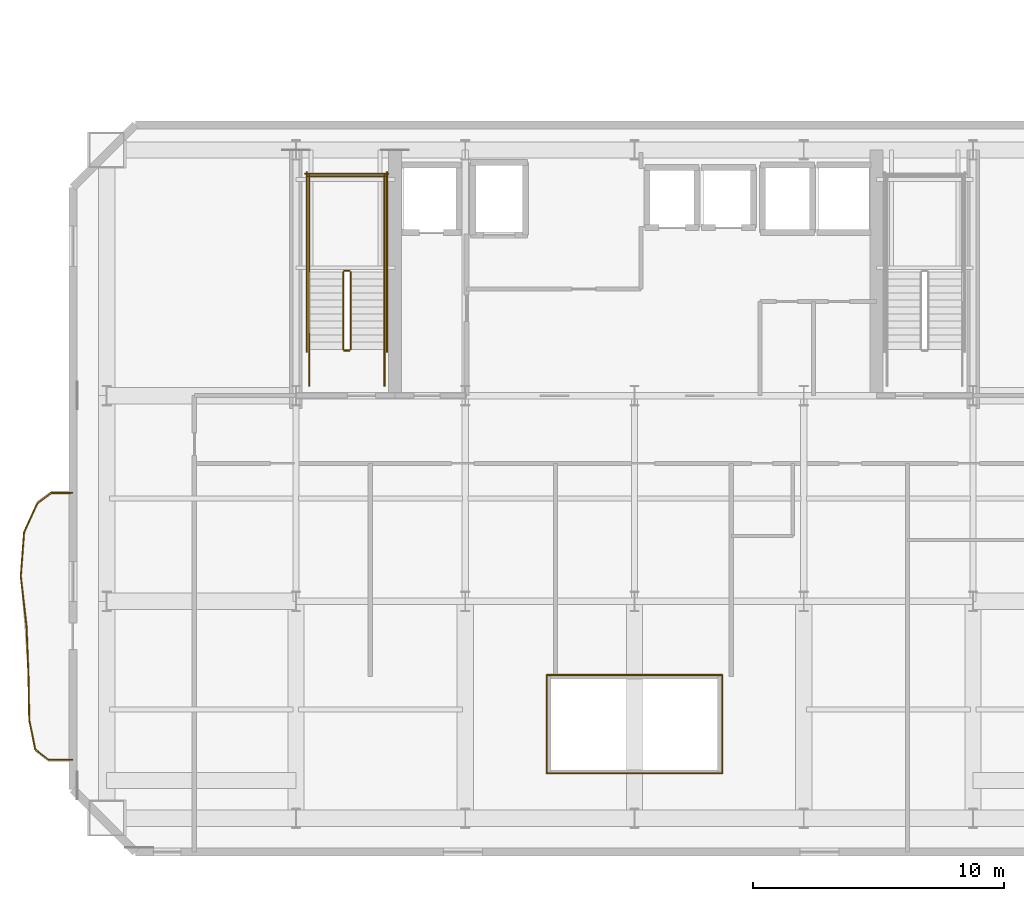
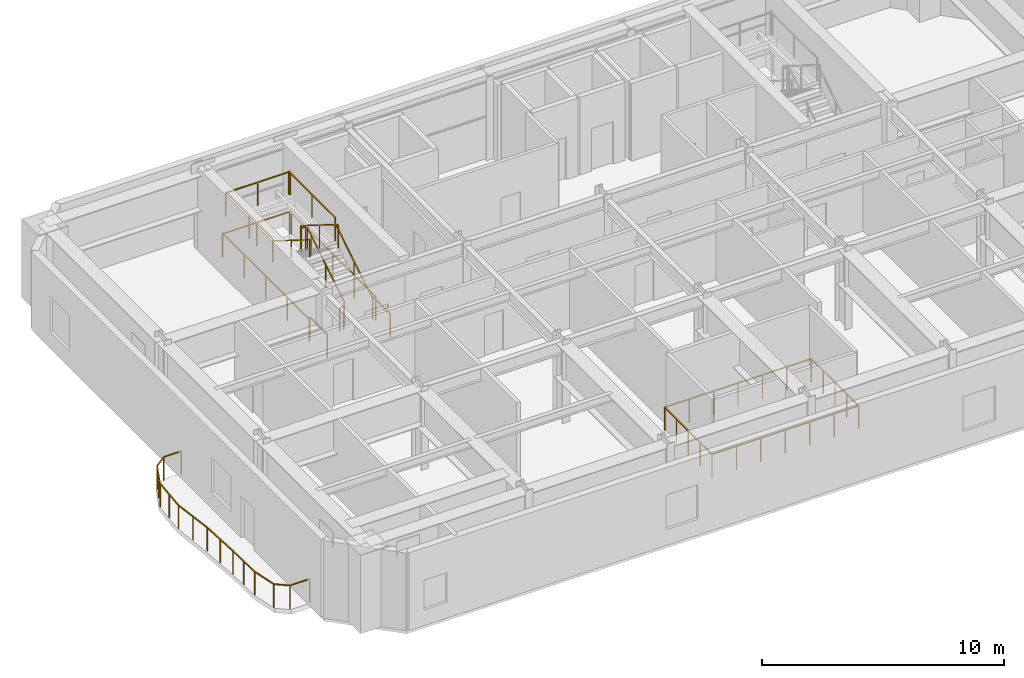
# One storey, part 12 of 15: 28 railings.
"""IFC4 building model written with IfcOpenShell, lengths in metres."""

from ifc_helpers import new_model, si_unit, direction, frame, origin, origin_2d, place, context, subcontext, project, spatial, rectangle, extrude, material, type_object, element, save


model = new_model("IFC4")

# Units and contexts
model_context = context("Model", 3, precision=1e-05, world=origin(), true_north=direction((0.0, 1.0)))
body_context = subcontext(model_context, "Body", "Model", "MODEL_VIEW")
ifc_project = project(units=[si_unit("LENGTHUNIT", "METRE"), si_unit("AREAUNIT", "SQUARE_METRE"), si_unit("VOLUMEUNIT", "CUBIC_METRE"), si_unit("PLANEANGLEUNIT", "RADIAN"), si_unit("MASSUNIT", "GRAM", prefix="KILO")], contexts=[model_context])

# Site, building, storey
site_placement = place(None, origin())
site = spatial("IfcSite", under=ifc_project, at=site_placement, CompositionType="ELEMENT")
building_placement = place(site_placement, origin())
building = spatial("IfcBuilding", under=site, at=building_placement, Name="Haevon Station Towers", CompositionType="ELEMENT")
storey_placement = place(building_placement, frame((0.0, 0.0, 129.60009765625)))
storey = spatial("IfcBuildingStorey", under=building, at=storey_placement, Name="L35", CompositionType="ELEMENT", Elevation=129.60009765625)

# Railings
ifc_material = material(Name="Steel S355", Category="steel")
railing_type_1 = type_object("IfcRailingType", Name="BAL-ATR1200", PredefinedType="BALUSTRADE", material=ifc_material)
railing_1_placement = place(storey_placement, frame((33.995361328125, 23.141357421875, 0.0)))
element("IfcRailing", 1, at=railing_1_placement, inside=storey, type_object=railing_type_1, Name="L35 Atrium Void Balustrade 1", PredefinedType="BALUSTRADE", context=body_context, shape_type="SweptSolid", body=[
    extrude(rectangle(XDim=0.048095703125, YDim=0.048095703125, at=origin_2d()), frame((0.0, 0.0, 1.17578125), z_axis=(1.0, 0.0, 0.0), x_axis=(0.0, 1.0, 0.0)), (0.0, 0.0, 1.0), 7.00927734375),
    extrude(rectangle(XDim=0.0419921875, YDim=0.0419921875, at=origin_2d()), origin(), (0.0, 0.0, 1.0), 1.15185546875),
    extrude(rectangle(XDim=0.0419921875, YDim=0.0419921875, at=origin_2d()), frame((1.168212890625, 0.0, 0.0)), (0.0, 0.0, 1.0), 1.15185546875),
    extrude(rectangle(XDim=0.0419921875, YDim=0.0419921875, at=origin_2d()), frame((2.33642578125, 0.0, 0.0)), (0.0, 0.0, 1.0), 1.15185546875),
    extrude(rectangle(XDim=0.0419921875, YDim=0.0419921875, at=origin_2d()), frame((3.504638671875, 0.0, 0.0)), (0.0, 0.0, 1.0), 1.15185546875),
    extrude(rectangle(XDim=0.0419921875, YDim=0.0419921875, at=origin_2d()), frame((4.6728515625, 0.0, 0.0)), (0.0, 0.0, 1.0), 1.15185546875),
    extrude(rectangle(XDim=0.0419921875, YDim=0.0419921875, at=origin_2d()), frame((5.841064453125, 0.0, 0.0)), (0.0, 0.0, 1.0), 1.15185546875),
    extrude(rectangle(XDim=0.0419921875, YDim=0.0419921875, at=origin_2d()), frame((7.00927734375, 0.0, 0.0)), (0.0, 0.0, 1.0), 1.15185546875),
])
railing_2_placement = place(storey_placement, frame((41.004638671875, 23.141357421875, 0.0)))
element("IfcRailing", 2, at=railing_2_placement, inside=storey, type_object=railing_type_1, Name="L35 Atrium Void Balustrade 2", PredefinedType="BALUSTRADE", context=body_context, shape_type="SweptSolid", body=[
    extrude(rectangle(XDim=0.048095703125, YDim=0.048095703125, at=origin_2d()), frame((0.0, 0.0, 1.17578125), z_axis=(0.0, 1.0, 0.0), x_axis=(-1.0, 0.0, 0.0)), (0.0, 0.0, 1.0), 3.917236328125),
    extrude(rectangle(XDim=0.0419921875, YDim=0.0419921875, at=origin_2d()), origin(), (0.0, 0.0, 1.0), 1.15185546875),
    extrude(rectangle(XDim=0.0419921875, YDim=0.0419921875, at=origin_2d()), frame((0.0, 0.979248046875, 0.0)), (0.0, 0.0, 1.0), 1.15185546875),
    extrude(rectangle(XDim=0.0419921875, YDim=0.0419921875, at=origin_2d()), frame((0.0, 1.95849609375, 0.0)), (0.0, 0.0, 1.0), 1.15185546875),
    extrude(rectangle(XDim=0.0419921875, YDim=0.0419921875, at=origin_2d()), frame((0.0, 2.93798828125, 0.0)), (0.0, 0.0, 1.0), 1.15185546875),
    extrude(rectangle(XDim=0.0419921875, YDim=0.0419921875, at=origin_2d()), frame((0.0, 3.917236328125, 0.0)), (0.0, 0.0, 1.0), 1.15185546875),
])
railing_3_placement = place(storey_placement, frame((41.004638671875, 27.05859375, 0.0)))
element("IfcRailing", 3, at=railing_3_placement, inside=storey, type_object=railing_type_1, Name="L35 Atrium Void Balustrade 3", PredefinedType="BALUSTRADE", context=body_context, shape_type="SweptSolid", body=[
    extrude(rectangle(XDim=0.048095703125, YDim=0.048095703125, at=origin_2d()), frame((0.0, 0.0, 1.17578125), z_axis=(-1.0, 0.0, 0.0), x_axis=(0.0, -1.0, 0.0)), (0.0, 0.0, 1.0), 7.00927734375),
    extrude(rectangle(XDim=0.0419921875, YDim=0.0419921875, at=origin_2d()), origin(), (0.0, 0.0, 1.0), 1.15185546875),
    extrude(rectangle(XDim=0.0419921875, YDim=0.0419921875, at=origin_2d()), frame((-1.168212890625, 0.0, 0.0)), (0.0, 0.0, 1.0), 1.15185546875),
    extrude(rectangle(XDim=0.0419921875, YDim=0.0419921875, at=origin_2d()), frame((-2.33642578125, 0.0, 0.0)), (0.0, 0.0, 1.0), 1.15185546875),
    extrude(rectangle(XDim=0.0419921875, YDim=0.0419921875, at=origin_2d()), frame((-3.504638671875, 0.0, 0.0)), (0.0, 0.0, 1.0), 1.15185546875),
    extrude(rectangle(XDim=0.0419921875, YDim=0.0419921875, at=origin_2d()), frame((-4.6728515625, 0.0, 0.0)), (0.0, 0.0, 1.0), 1.15185546875),
    extrude(rectangle(XDim=0.0419921875, YDim=0.0419921875, at=origin_2d()), frame((-5.841064453125, 0.0, 0.0)), (0.0, 0.0, 1.0), 1.15185546875),
    extrude(rectangle(XDim=0.0419921875, YDim=0.0419921875, at=origin_2d()), frame((-7.00927734375, 0.0, 0.0)), (0.0, 0.0, 1.0), 1.15185546875),
])
railing_4_placement = place(storey_placement, frame((33.995361328125, 27.05859375, 0.0)))
element("IfcRailing", 4, at=railing_4_placement, inside=storey, type_object=railing_type_1, Name="L35 Atrium Void Balustrade 4", PredefinedType="BALUSTRADE", context=body_context, shape_type="SweptSolid", body=[
    extrude(rectangle(XDim=0.048095703125, YDim=0.048095703125, at=origin_2d()), frame((0.0, 0.0, 1.17578125), z_axis=(0.0, -1.0, 0.0), x_axis=(1.0, 0.0, 0.0)), (0.0, 0.0, 1.0), 3.917236328125),
    extrude(rectangle(XDim=0.0419921875, YDim=0.0419921875, at=origin_2d()), origin(), (0.0, 0.0, 1.0), 1.15185546875),
    extrude(rectangle(XDim=0.0419921875, YDim=0.0419921875, at=origin_2d()), frame((0.0, -0.979248046875, 0.0)), (0.0, 0.0, 1.0), 1.15185546875),
    extrude(rectangle(XDim=0.0419921875, YDim=0.0419921875, at=origin_2d()), frame((0.0, -1.95849609375, 0.0)), (0.0, 0.0, 1.0), 1.15185546875),
    extrude(rectangle(XDim=0.0419921875, YDim=0.0419921875, at=origin_2d()), frame((0.0, -2.93798828125, 0.0)), (0.0, 0.0, 1.0), 1.15185546875),
    extrude(rectangle(XDim=0.0419921875, YDim=0.0419921875, at=origin_2d()), frame((0.0, -3.917236328125, 0.0)), (0.0, 0.0, 1.0), 1.15185546875),
])
railing_type_2 = type_object("IfcRailingType", Name="GRD-EXT1200", PredefinedType="GUARDRAIL", material=ifc_material)
railing_5_placement = place(storey_placement, frame((15.076416015625, 34.322265625, 0.0)))
element("IfcRailing", 5, at=railing_5_placement, inside=storey, type_object=railing_type_2, Name="L35 Perimeter Guardrail 1", PredefinedType="GUARDRAIL", context=body_context, shape_type="SweptSolid", body=[
    extrude(rectangle(XDim=0.048095703125, YDim=0.048095703125, at=origin_2d()), frame((0.0, 0.0, 1.17578125), z_axis=(-0.999997283225, -0.002330995998, 0.0), x_axis=(0.002330995998, -0.999997283225, 0.0)), (0.0, 0.0, 1.0), 0.837890625),
    extrude(rectangle(XDim=0.0419921875, YDim=0.0419921875, at=origin_2d()), origin(), (0.0, 0.0, 1.0), 1.15185546875),
    extrude(rectangle(XDim=0.0419921875, YDim=0.0419921875, at=origin_2d()), frame((-0.837890625, -0.001953125, 0.0)), (0.0, 0.0, 1.0), 1.15185546875),
])
railing_6_placement = place(storey_placement, frame((14.238525390625, 34.3203125, 0.0)))
element("IfcRailing", 6, at=railing_6_placement, inside=storey, type_object=railing_type_2, Name="L35 Perimeter Guardrail 2", PredefinedType="GUARDRAIL", context=body_context, shape_type="SweptSolid", body=[
    extrude(rectangle(XDim=0.048095703125, YDim=0.048095703125, at=origin_2d()), frame((0.0, 0.0, 1.17578125), z_axis=(-0.801826187868, -0.597557331516, 0.0), x_axis=(0.597557331516, -0.801826187868, 0.0)), (0.0, 0.0, 1.0), 0.6884765625),
    extrude(rectangle(XDim=0.0419921875, YDim=0.0419921875, at=origin_2d()), origin(), (0.0, 0.0, 1.0), 1.15185546875),
    extrude(rectangle(XDim=0.0419921875, YDim=0.0419921875, at=origin_2d()), frame((-0.552001953125, -0.411376953125, 0.0)), (0.0, 0.0, 1.0), 1.15185546875),
])
railing_7_placement = place(storey_placement, frame((13.6865234375, 33.908935546875, 0.0)))
element("IfcRailing", 7, at=railing_7_placement, inside=storey, type_object=railing_type_2, Name="L35 Perimeter Guardrail 3", PredefinedType="GUARDRAIL", context=body_context, shape_type="SweptSolid", body=[
    extrude(rectangle(XDim=0.048095703125, YDim=0.048095703125, at=origin_2d()), frame((0.0, 0.0, 1.17578125), z_axis=(-0.413917488552, -0.910314403198, 0.0), x_axis=(0.910314403198, -0.413917488552, 0.0)), (0.0, 0.0, 1.0), 1.28466796875),
    extrude(rectangle(XDim=0.0419921875, YDim=0.0419921875, at=origin_2d()), origin(), (0.0, 0.0, 1.0), 1.15185546875),
    extrude(rectangle(XDim=0.0419921875, YDim=0.0419921875, at=origin_2d()), frame((-0.265869140625, -0.584716796875, 0.0)), (0.0, 0.0, 1.0), 1.15185546875),
    extrude(rectangle(XDim=0.0419921875, YDim=0.0419921875, at=origin_2d()), frame((-0.53173828125, -1.16943359375, 0.0)), (0.0, 0.0, 1.0), 1.15185546875),
])
railing_8_placement = place(storey_placement, frame((13.15478515625, 32.739501953125, 0.0)))
element("IfcRailing", 8, at=railing_8_placement, inside=storey, type_object=railing_type_2, Name="L35 Perimeter Guardrail 4", PredefinedType="GUARDRAIL", context=body_context, shape_type="SweptSolid", body=[
    extrude(rectangle(XDim=0.048095703125, YDim=0.048095703125, at=origin_2d()), frame((0.0, 0.0, 1.17578125), z_axis=(-0.074672193364, -0.997208134513, 0.0), x_axis=(0.997208134513, -0.074672193364, 0.0)), (0.0, 0.0, 1.0), 1.75244140625),
    extrude(rectangle(XDim=0.0419921875, YDim=0.0419921875, at=origin_2d()), origin(), (0.0, 0.0, 1.0), 1.15185546875),
    extrude(rectangle(XDim=0.0419921875, YDim=0.0419921875, at=origin_2d()), frame((-0.0654296875, -0.873779296875, 0.0)), (0.0, 0.0, 1.0), 1.15185546875),
    extrude(rectangle(XDim=0.0419921875, YDim=0.0419921875, at=origin_2d()), frame((-0.130859375, -1.74755859375, 0.0)), (0.0, 0.0, 1.0), 1.15185546875),
])
railing_9_placement = place(storey_placement, frame((13.02392578125, 30.991943359375, 0.0)))
element("IfcRailing", 9, at=railing_9_placement, inside=storey, type_object=railing_type_2, Name="L35 Perimeter Guardrail 5", PredefinedType="GUARDRAIL", context=body_context, shape_type="SweptSolid", body=[
    extrude(rectangle(XDim=0.048095703125, YDim=0.048095703125, at=origin_2d()), frame((0.0, 0.0, 1.17578125), z_axis=(0.114933725314, -0.993373161901, 0.0), x_axis=(0.993373161901, 0.114933725314, 0.0)), (0.0, 0.0, 1.0), 2.005126953125),
    extrude(rectangle(XDim=0.0419921875, YDim=0.0419921875, at=origin_2d()), origin(), (0.0, 0.0, 1.0), 1.15185546875),
    extrude(rectangle(XDim=0.0419921875, YDim=0.0419921875, at=origin_2d()), frame((0.115234375, -0.99609375, 0.0)), (0.0, 0.0, 1.0), 1.15185546875),
    extrude(rectangle(XDim=0.0419921875, YDim=0.0419921875, at=origin_2d()), frame((0.23046875, -1.991943359375, 0.0)), (0.0, 0.0, 1.0), 1.15185546875),
])
railing_10_placement = place(storey_placement, frame((13.25439453125, 29.0, 0.0)))
element("IfcRailing", 10, at=railing_10_placement, inside=storey, type_object=railing_type_2, Name="L35 Perimeter Guardrail 6", PredefinedType="GUARDRAIL", context=body_context, shape_type="SweptSolid", body=[
    extrude(rectangle(XDim=0.048095703125, YDim=0.048095703125, at=origin_2d()), frame((0.0, 0.0, 1.17578125), z_axis=(0.038150453475, -0.999272006463, 0.0), x_axis=(0.999272006463, 0.038150453475, 0.0)), (0.0, 0.0, 1.0), 1.990234375),
    extrude(rectangle(XDim=0.0419921875, YDim=0.0419921875, at=origin_2d()), origin(), (0.0, 0.0, 1.0), 1.15185546875),
    extrude(rectangle(XDim=0.0419921875, YDim=0.0419921875, at=origin_2d()), frame((0.0380859375, -0.994384765625, 0.0)), (0.0, 0.0, 1.0), 1.15185546875),
    extrude(rectangle(XDim=0.0419921875, YDim=0.0419921875, at=origin_2d()), frame((0.075927734375, -1.98876953125, 0.0)), (0.0, 0.0, 1.0), 1.15185546875),
])
railing_11_placement = place(storey_placement, frame((13.330322265625, 27.01123046875, 0.0)))
element("IfcRailing", 11, at=railing_11_placement, inside=storey, type_object=railing_type_2, Name="L35 Perimeter Guardrail 7", PredefinedType="GUARDRAIL", context=body_context, shape_type="SweptSolid", body=[
    extrude(rectangle(XDim=0.048095703125, YDim=0.048095703125, at=origin_2d()), frame((0.0, 0.0, 1.17578125), z_axis=(0.017572959065, -0.999845583633, 0.0), x_axis=(0.999845583633, 0.017572959065, 0.0)), (0.0, 0.0, 1.0), 1.75048828125),
    extrude(rectangle(XDim=0.0419921875, YDim=0.0419921875, at=origin_2d()), origin(), (0.0, 0.0, 1.0), 1.15185546875),
    extrude(rectangle(XDim=0.0419921875, YDim=0.0419921875, at=origin_2d()), frame((0.015380859375, -0.875, 0.0)), (0.0, 0.0, 1.0), 1.15185546875),
    extrude(rectangle(XDim=0.0419921875, YDim=0.0419921875, at=origin_2d()), frame((0.03076171875, -1.750244140625, 0.0)), (0.0, 0.0, 1.0), 1.15185546875),
])
railing_12_placement = place(storey_placement, frame((13.361083984375, 25.260986328125, 0.0)))
element("IfcRailing", 12, at=railing_12_placement, inside=storey, type_object=railing_type_2, Name="L35 Perimeter Guardrail 8", PredefinedType="GUARDRAIL", context=body_context, shape_type="SweptSolid", body=[
    extrude(rectangle(XDim=0.048095703125, YDim=0.048095703125, at=origin_2d()), frame((0.0, 0.0, 1.17578125), z_axis=(0.199771721582, -0.979842466551, 0.0), x_axis=(0.979842466551, 0.199771721582, 0.0)), (0.0, 0.0, 1.0), 1.194091796875),
    extrude(rectangle(XDim=0.0419921875, YDim=0.0419921875, at=origin_2d()), origin(), (0.0, 0.0, 1.0), 1.15185546875),
    extrude(rectangle(XDim=0.0419921875, YDim=0.0419921875, at=origin_2d()), frame((0.238525390625, -1.169921875, 0.0)), (0.0, 0.0, 1.0), 1.15185546875),
])
railing_13_placement = place(storey_placement, frame((13.599609375, 24.091064453125, 0.0)))
element("IfcRailing", 13, at=railing_13_placement, inside=storey, type_object=railing_type_2, Name="L35 Perimeter Guardrail 9", PredefinedType="GUARDRAIL", context=body_context, shape_type="SweptSolid", body=[
    extrude(rectangle(XDim=0.048095703125, YDim=0.048095703125, at=origin_2d()), frame((0.0, 0.0, 1.17578125), z_axis=(0.79178726734, -0.61079695749, 0.0), x_axis=(0.61079695749, 0.79178726734, 0.0)), (0.0, 0.0, 1.0), 0.673095703125),
    extrude(rectangle(XDim=0.0419921875, YDim=0.0419921875, at=origin_2d()), origin(), (0.0, 0.0, 1.0), 1.15185546875),
    extrude(rectangle(XDim=0.0419921875, YDim=0.0419921875, at=origin_2d()), frame((0.532958984375, -0.4111328125, 0.0)), (0.0, 0.0, 1.0), 1.15185546875),
])
railing_14_placement = place(storey_placement, frame((14.132568359375, 23.679931640625, 0.0)))
element("IfcRailing", 14, at=railing_14_placement, inside=storey, type_object=railing_type_2, Name="L35 Perimeter Guardrail 10", PredefinedType="GUARDRAIL", context=body_context, shape_type="SweptSolid", body=[
    extrude(rectangle(XDim=0.048095703125, YDim=0.048095703125, at=origin_2d()), frame((0.0, 0.0, 1.17578125), z_axis=(0.999997290248, -0.002327981276, 0.0), x_axis=(0.002327981276, 0.999997290248, 0.0)), (0.0, 0.0, 1.0), 0.94384765625),
    extrude(rectangle(XDim=0.0419921875, YDim=0.0419921875, at=origin_2d()), origin(), (0.0, 0.0, 1.0), 1.15185546875),
    extrude(rectangle(XDim=0.0419921875, YDim=0.0419921875, at=origin_2d()), frame((0.94384765625, -0.002197265625, 0.0)), (0.0, 0.0, 1.0), 1.15185546875),
])
railing_type_3 = type_object("IfcRailingType", Name="GRD-STR1200", PredefinedType="GUARDRAIL", material=ifc_material)
railing_15_placement = place(storey_placement, frame((26.179931640625, 40.050048828125, 0.1748046875)))
element("IfcRailing", 15, at=railing_15_placement, inside=storey, type_object=railing_type_3, Name="L35 ST1 Stair Guard 1", PredefinedType="GUARDRAIL", context=body_context, shape_type="SweptSolid", body=[
    extrude(rectangle(XDim=0.048095703125, YDim=0.048095703125, at=origin_2d()), frame((0.0, 0.0, 1.17578125), z_axis=(0.0, 0.847979421464, 0.530029150871), x_axis=(-1.0, 0.0, 0.0)), (0.0, 0.0, 1.0), 3.632080078125),
    extrude(rectangle(XDim=0.0419921875, YDim=0.0419921875, at=origin_2d()), origin(), (0.0, 0.0, 1.0), 1.15185546875),
    extrude(rectangle(XDim=0.0419921875, YDim=0.0419921875, at=origin_2d()), frame((0.0, 1.5400390625, 0.96240234375)), (0.0, 0.0, 1.0), 1.15185546875),
    extrude(rectangle(XDim=0.0419921875, YDim=0.0419921875, at=origin_2d()), frame((0.0, 3.079833984375, 1.925048828125)), (0.0, 0.0, 1.0), 1.15185546875),
])
railing_16_placement = place(storey_placement, frame((26.1298828125, 43.179931640625, 2.099853515625)))
element("IfcRailing", 16, at=railing_16_placement, inside=storey, type_object=railing_type_3, Name="L35 ST1 Stair Guard 2", PredefinedType="GUARDRAIL", context=body_context, shape_type="SweptSolid", body=[
    extrude(rectangle(XDim=0.048095703125, YDim=0.048095703125, at=origin_2d()), frame((0.0, 0.0, 1.17578125), z_axis=(-1.0, 0.0, 0.0), x_axis=(0.0, -1.0, 0.0)), (0.0, 0.0, 1.0), 0.199951171875),
    extrude(rectangle(XDim=0.0419921875, YDim=0.0419921875, at=origin_2d()), origin(), (0.0, 0.0, 1.0), 1.15185546875),
    extrude(rectangle(XDim=0.0419921875, YDim=0.0419921875, at=origin_2d()), frame((-0.199951171875, 0.0, 0.0)), (0.0, 0.0, 1.0), 1.15185546875),
])
for number, where, name in (
    (17, (27.530029296875, 43.1298828125, 2.099853515625), "L35 ST1 Stair Guard 3"),
    (18, (24.530029296875, 43.1298828125, 2.099853515625), "L35 ST1 Stair Guard 4"),
):
    element("IfcRailing", number, at=place(storey_placement, frame(where)), inside=storey, type_object=railing_type_3, Name=name, PredefinedType="GUARDRAIL", context=body_context, shape_type="SweptSolid", body=[
        extrude(rectangle(XDim=0.048095703125, YDim=0.048095703125, at=origin_2d()), frame((0.0, 0.0, 1.17578125), z_axis=(0.0, 1.0, 0.0), x_axis=(-1.0, 0.0, 0.0)), (0.0, 0.0, 1.0), 3.8701171875),
        extrude(rectangle(XDim=0.0419921875, YDim=0.0419921875, at=origin_2d()), origin(), (0.0, 0.0, 1.0), 1.15185546875),
        extrude(rectangle(XDim=0.0419921875, YDim=0.0419921875, at=origin_2d()), frame((0.0, 1.93505859375, 0.0)), (0.0, 0.0, 1.0), 1.15185546875),
        extrude(rectangle(XDim=0.0419921875, YDim=0.0419921875, at=origin_2d()), frame((0.0, 3.8701171875, 0.0)), (0.0, 0.0, 1.0), 1.15185546875),
    ])
railing_17_placement = place(storey_placement, frame((27.580078125, 46.949951171875, 2.099853515625)))
element("IfcRailing", 19, at=railing_17_placement, inside=storey, type_object=railing_type_3, Name="L35 ST1 Stair Guard 5", PredefinedType="GUARDRAIL", context=body_context, shape_type="SweptSolid", body=[
    extrude(rectangle(XDim=0.048095703125, YDim=0.048095703125, at=origin_2d()), frame((0.0, 0.0, 1.17578125), z_axis=(-1.0, 0.0, 0.0), x_axis=(0.0, -1.0, 0.0)), (0.0, 0.0, 1.0), 3.10009765625),
    extrude(rectangle(XDim=0.0419921875, YDim=0.0419921875, at=origin_2d()), origin(), (0.0, 0.0, 1.0), 1.15185546875),
    extrude(rectangle(XDim=0.0419921875, YDim=0.0419921875, at=origin_2d()), frame((-1.550048828125, 0.0, 0.0)), (0.0, 0.0, 1.0), 1.15185546875),
    extrude(rectangle(XDim=0.0419921875, YDim=0.0419921875, at=origin_2d()), frame((-3.10009765625, 0.0, 0.0)), (0.0, 0.0, 1.0), 1.15185546875),
])
railing_18_placement = place(storey_placement, frame((25.8798828125, 43.1298828125, 2.27490234375)))
element("IfcRailing", 20, at=railing_18_placement, inside=storey, type_object=railing_type_3, Name="L35 ST1 Stair Guard 6", PredefinedType="GUARDRAIL", context=body_context, shape_type="SweptSolid", body=[
    extrude(rectangle(XDim=0.048095703125, YDim=0.048095703125, at=origin_2d()), frame((0.0, 0.0, 1.17578125), z_axis=(0.0, -0.847979421464, 0.530029150871), x_axis=(1.0, 0.0, 0.0)), (0.0, 0.0, 1.0), 3.632080078125),
    extrude(rectangle(XDim=0.0419921875, YDim=0.0419921875, at=origin_2d()), origin(), (0.0, 0.0, 1.0), 1.15185546875),
    extrude(rectangle(XDim=0.0419921875, YDim=0.0419921875, at=origin_2d()), frame((0.0, -1.5400390625, 0.96240234375)), (0.0, 0.0, 1.0), 1.15185546875),
    extrude(rectangle(XDim=0.0419921875, YDim=0.0419921875, at=origin_2d()), frame((0.0, -3.079833984375, 1.925048828125)), (0.0, 0.0, 1.0), 1.15185546875),
])
railing_19_placement = place(storey_placement, frame((26.1298828125, 40.0, 0.0)))
element("IfcRailing", 21, at=railing_19_placement, inside=storey, type_object=railing_type_3, Name="L35 ST1 Stair Guard 7", PredefinedType="GUARDRAIL", context=body_context, shape_type="SweptSolid", body=[
    extrude(rectangle(XDim=0.048095703125, YDim=0.048095703125, at=origin_2d()), frame((0.0, 0.0, 1.17578125), z_axis=(-1.0, 0.0, 0.0), x_axis=(0.0, -1.0, 0.0)), (0.0, 0.0, 1.0), 0.199951171875),
    extrude(rectangle(XDim=0.0419921875, YDim=0.0419921875, at=origin_2d()), origin(), (0.0, 0.0, 1.0), 1.15185546875),
    extrude(rectangle(XDim=0.0419921875, YDim=0.0419921875, at=origin_2d()), frame((-0.199951171875, 0.0, 0.0)), (0.0, 0.0, 1.0), 1.15185546875),
])
for number, where, name in (
    (22, (27.530029296875, 38.60009765625, 0.0), "L35 ST1 Stair Guard 8"),
    (23, (24.530029296875, 38.60009765625, 0.0), "L35 ST1 Stair Guard 9"),
):
    element("IfcRailing", number, at=place(storey_placement, frame(where)), inside=storey, type_object=railing_type_3, Name=name, PredefinedType="GUARDRAIL", context=body_context, shape_type="SweptSolid", body=[
        extrude(rectangle(XDim=0.048095703125, YDim=0.048095703125, at=origin_2d()), frame((0.0, 0.0, 1.17578125), z_axis=(0.0, 1.0, 0.0), x_axis=(-1.0, 0.0, 0.0)), (0.0, 0.0, 1.0), 1.449951171875),
        extrude(rectangle(XDim=0.0419921875, YDim=0.0419921875, at=origin_2d()), origin(), (0.0, 0.0, 1.0), 1.15185546875),
        extrude(rectangle(XDim=0.0419921875, YDim=0.0419921875, at=origin_2d()), frame((0.0, 1.449951171875, 0.0)), (0.0, 0.0, 1.0), 1.15185546875),
    ])
for number, where, name in (
    (24, (27.6298828125, 39.949951171875, 0.0), "L35 ST1 Stair Guard 10"),
    (25, (24.429931640625, 39.949951171875, 0.0), "L35 ST1 Stair Guard 11"),
):
    element("IfcRailing", number, at=place(storey_placement, frame(where)), inside=storey, type_object=railing_type_3, Name=name, PredefinedType="GUARDRAIL", context=body_context, shape_type="SweptSolid", body=[
        extrude(rectangle(XDim=0.048095703125, YDim=0.048095703125, at=origin_2d()), frame((0.0, 0.0, 1.17578125), z_axis=(0.0, 1.0, 0.0), x_axis=(-1.0, 0.0, 0.0)), (0.0, 0.0, 1.0), 7.150146484375),
        extrude(rectangle(XDim=0.0419921875, YDim=0.0419921875, at=origin_2d()), origin(), (0.0, 0.0, 1.0), 1.15185546875),
        extrude(rectangle(XDim=0.0419921875, YDim=0.0419921875, at=origin_2d()), frame((0.0, 1.78759765625, 0.0)), (0.0, 0.0, 1.0), 1.15185546875),
        extrude(rectangle(XDim=0.0419921875, YDim=0.0419921875, at=origin_2d()), frame((0.0, 3.5751953125, 0.0)), (0.0, 0.0, 1.0), 1.15185546875),
        extrude(rectangle(XDim=0.0419921875, YDim=0.0419921875, at=origin_2d()), frame((0.0, 5.362548828125, 0.0)), (0.0, 0.0, 1.0), 1.15185546875),
        extrude(rectangle(XDim=0.0419921875, YDim=0.0419921875, at=origin_2d()), frame((0.0, 7.150146484375, 0.0)), (0.0, 0.0, 1.0), 1.15185546875),
    ])
railing_20_placement = place(storey_placement, frame((27.679931640625, 47.050048828125, 0.0)))
element("IfcRailing", 26, at=railing_20_placement, inside=storey, type_object=railing_type_3, Name="L35 ST1 Stair Guard 12", PredefinedType="GUARDRAIL", context=body_context, shape_type="SweptSolid", body=[
    extrude(rectangle(XDim=0.048095703125, YDim=0.048095703125, at=origin_2d()), frame((0.0, 0.0, 1.17578125), z_axis=(-1.0, 0.0, 0.0), x_axis=(0.0, -1.0, 0.0)), (0.0, 0.0, 1.0), 3.300048828125),
    extrude(rectangle(XDim=0.0419921875, YDim=0.0419921875, at=origin_2d()), origin(), (0.0, 0.0, 1.0), 1.15185546875),
    extrude(rectangle(XDim=0.0419921875, YDim=0.0419921875, at=origin_2d()), frame((-1.64990234375, 0.0, 0.0)), (0.0, 0.0, 1.0), 1.15185546875),
    extrude(rectangle(XDim=0.0419921875, YDim=0.0419921875, at=origin_2d()), frame((-3.300048828125, 0.0, 0.0)), (0.0, 0.0, 1.0), 1.15185546875),
])
railing_type_4 = type_object("IfcRailingType", Name="HND-STR900", PredefinedType="HANDRAIL", material=ifc_material)
railing_21_placement = place(storey_placement, frame((27.530029296875, 40.050048828125, 0.1748046875)))
element("IfcRailing", 27, at=railing_21_placement, inside=storey, type_object=railing_type_4, Name="L35 ST1 Stair Handrail 1", PredefinedType="HANDRAIL", context=body_context, shape_type="SweptSolid", body=[
    extrude(rectangle(XDim=0.048095703125, YDim=0.048095703125, at=origin_2d()), frame((0.0, 0.0, 0.8759765625), z_axis=(0.0, 0.847979421464, 0.530029150871), x_axis=(-1.0, 0.0, 0.0)), (0.0, 0.0, 1.0), 3.632080078125),
    extrude(rectangle(XDim=0.0419921875, YDim=0.0419921875, at=origin_2d()), origin(), (0.0, 0.0, 1.0), 0.851806640625),
    extrude(rectangle(XDim=0.0419921875, YDim=0.0419921875, at=origin_2d()), frame((0.0, 1.5400390625, 0.96240234375)), (0.0, 0.0, 1.0), 0.851806640625),
    extrude(rectangle(XDim=0.0419921875, YDim=0.0419921875, at=origin_2d()), frame((0.0, 3.079833984375, 1.925048828125)), (0.0, 0.0, 1.0), 0.851806640625),
])
railing_22_placement = place(storey_placement, frame((24.530029296875, 43.1298828125, 2.27490234375)))
element("IfcRailing", 28, at=railing_22_placement, inside=storey, type_object=railing_type_4, Name="L35 ST1 Stair Handrail 2", PredefinedType="HANDRAIL", context=body_context, shape_type="SweptSolid", body=[
    extrude(rectangle(XDim=0.048095703125, YDim=0.048095703125, at=origin_2d()), frame((0.0, 0.0, 0.8759765625), z_axis=(0.0, -0.847979421464, 0.530029150871), x_axis=(1.0, 0.0, 0.0)), (0.0, 0.0, 1.0), 3.632080078125),
    extrude(rectangle(XDim=0.0419921875, YDim=0.0419921875, at=origin_2d()), origin(), (0.0, 0.0, 1.0), 0.851806640625),
    extrude(rectangle(XDim=0.0419921875, YDim=0.0419921875, at=origin_2d()), frame((0.0, -1.5400390625, 0.96240234375)), (0.0, 0.0, 1.0), 0.851806640625),
    extrude(rectangle(XDim=0.0419921875, YDim=0.0419921875, at=origin_2d()), frame((0.0, -3.079833984375, 1.925048828125)), (0.0, 0.0, 1.0), 0.851806640625),
])

save(model, "model.ifc")
